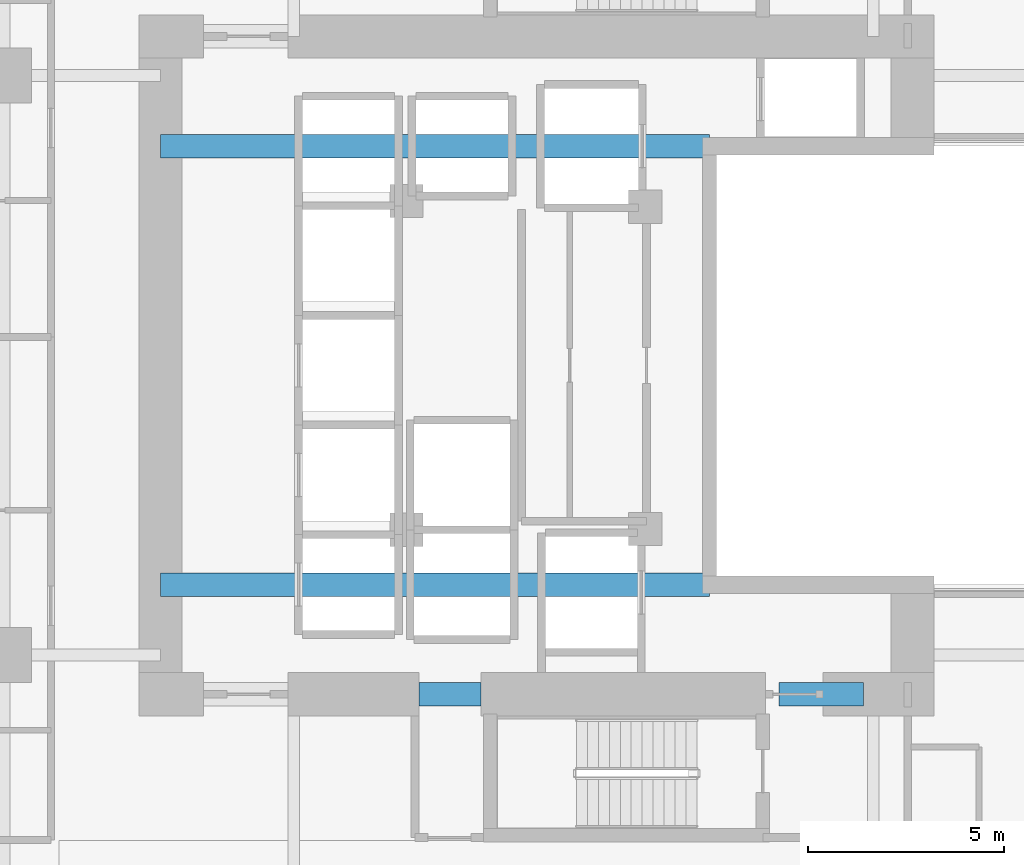
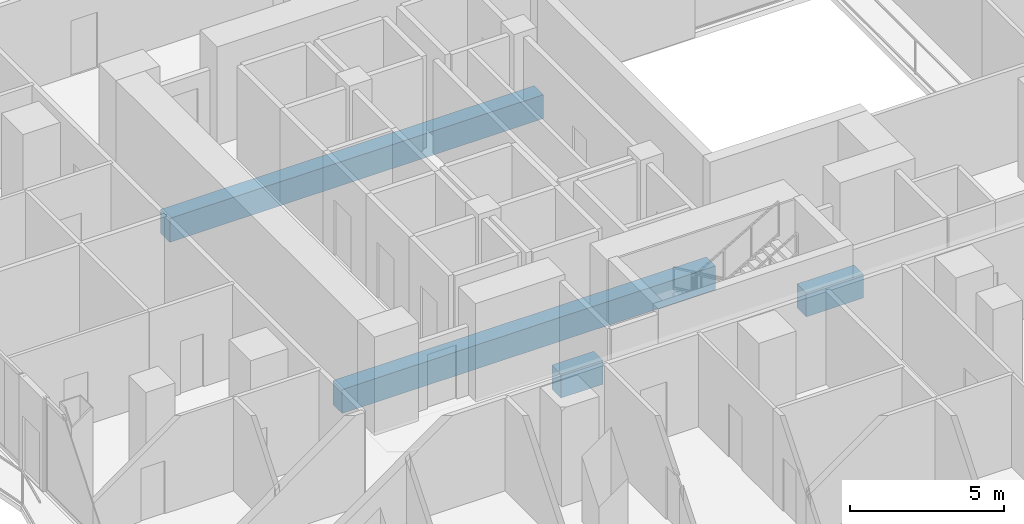
# One storey, part 7 of 30: 4 beams.
"""IFC4 building model written with IfcOpenShell, lengths in metres."""

from ifc_helpers import new_model, si_unit, direction, frame, origin, origin_2d, place, context, subcontext, project, spatial, rectangle, extrude, material, material_profile, profile_set, type_object, element, save


model = new_model("IFC4")

# Units and contexts
model_context = context("Model", 3, precision=1e-05, world=origin(), true_north=direction((0.0, 1.0)))
body_context = subcontext(model_context, "Body", "Model", "MODEL_VIEW")
ifc_project = project(units=[si_unit("LENGTHUNIT", "METRE"), si_unit("AREAUNIT", "SQUARE_METRE"), si_unit("VOLUMEUNIT", "CUBIC_METRE"), si_unit("PLANEANGLEUNIT", "RADIAN"), si_unit("MASSUNIT", "GRAM", prefix="KILO")], contexts=[model_context])

# Site, building, storey
site_placement = place(None, origin())
site = spatial("IfcSite", under=ifc_project, at=site_placement, CompositionType="ELEMENT")
building_placement = place(site_placement, origin())
building = spatial("IfcBuilding", under=site, at=building_placement, Name="Khorvyn Point Tower", CompositionType="ELEMENT")
storey_placement = place(building_placement, frame((0.0, 0.0, 30.60009765625)))
storey = spatial("IfcBuildingStorey", under=building, at=storey_placement, Name="L08", CompositionType="ELEMENT", Elevation=30.60009765625)

# Beams
ifc_material = material(Name="Concrete C50/60", Category="concrete")
ifc_material_profile = material_profile(ifc_material, rectangle(XDim=0.60009765625, YDim=0.949951171875, at=origin_2d()))
ifc_profile_set = profile_set([ifc_material_profile], Name="Concrete C50/60 RC600x950")
beam_type = type_object("IfcBeamType", Name="Concrete C50/60 Beam RC600x950", PredefinedType="BEAM", material=ifc_profile_set)
for number, where, z_axis, x_axis, name in (
    (1, (-10.800048828125, -5.60009765625, -0.695068359375), (1.0, 0.0, 0.0), (0.0, 1.0, 0.0), "L08 Core Internal Tie Girder S"),
    (2, (-10.800048828125, 5.60009765625, -0.695068359375), (1.0, 0.0, 0.0), (0.0, 1.0, 0.0), "L08 Core Internal Tie Girder N"),
):
    element("IfcBeam", number, at=place(storey_placement, frame(where, z_axis=z_axis, x_axis=x_axis)), inside=storey, type_object=beam_type, Name=name, PredefinedType="BEAM", context=body_context, shape_type="SweptSolid", body=[
        extrude(rectangle(XDim=0.60009765625, YDim=0.949951171875, at=origin_2d()), origin(), (0.0, 0.0, 1.0), 14.02001953125),
    ])
beam_1_placement = place(storey_placement, frame((-4.199951171875, -8.39990234375, -0.695068359375), z_axis=(1.0, 0.0, 0.0), x_axis=(0.0, 1.0, 0.0)))
element("IfcBeam", 3, at=beam_1_placement, inside=storey, type_object=beam_type, Name="L08 Core Shuttle Portal Coupling Beam", PredefinedType="BEAM", context=body_context, shape_type="SweptSolid", body=[
    extrude(rectangle(XDim=0.60009765625, YDim=0.949951171875, at=origin_2d()), origin(), (0.0, 0.0, 1.0), 1.579833984375),
])
beam_2_placement = place(storey_placement, frame((5.0, -8.39990234375, -0.695068359375), z_axis=(1.0, 0.0, 0.0), x_axis=(0.0, 1.0, 0.0)))
element("IfcBeam", 4, at=beam_2_placement, inside=storey, type_object=beam_type, Name="L08 Core Southeast Portal Coupling Beam", PredefinedType="BEAM", context=body_context, shape_type="SweptSolid", body=[
    extrude(rectangle(XDim=0.60009765625, YDim=0.949951171875, at=origin_2d()), origin(), (0.0, 0.0, 1.0), 2.14990234375),
])

save(model, "model.ifc")
